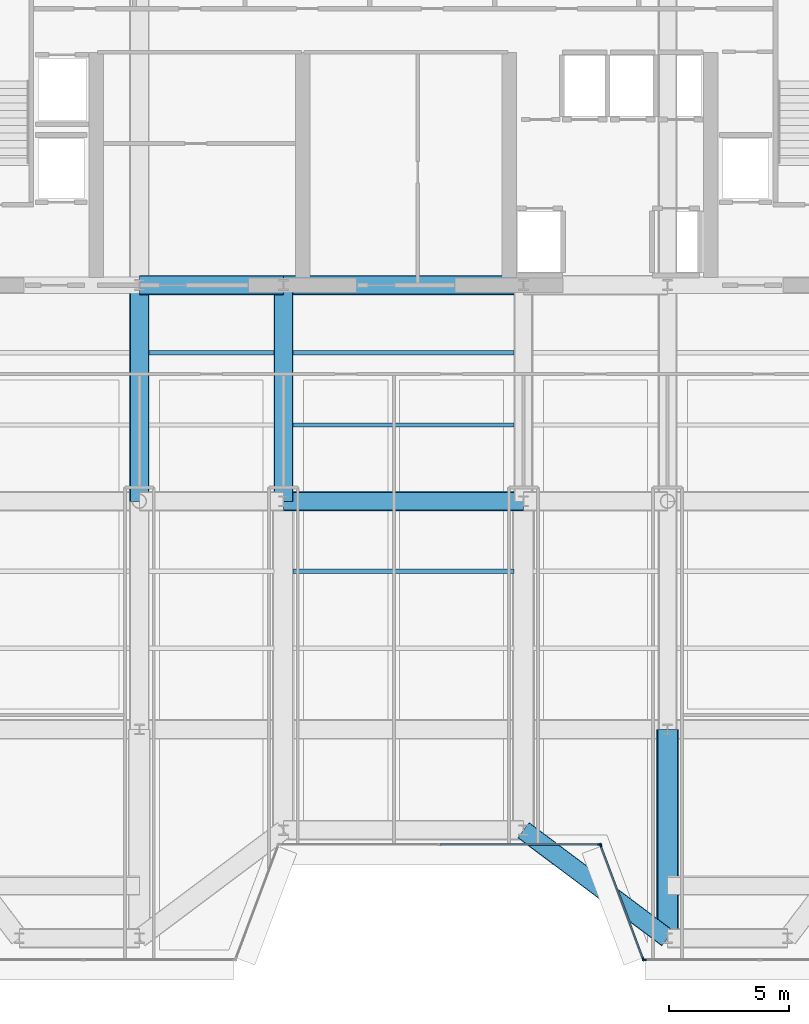
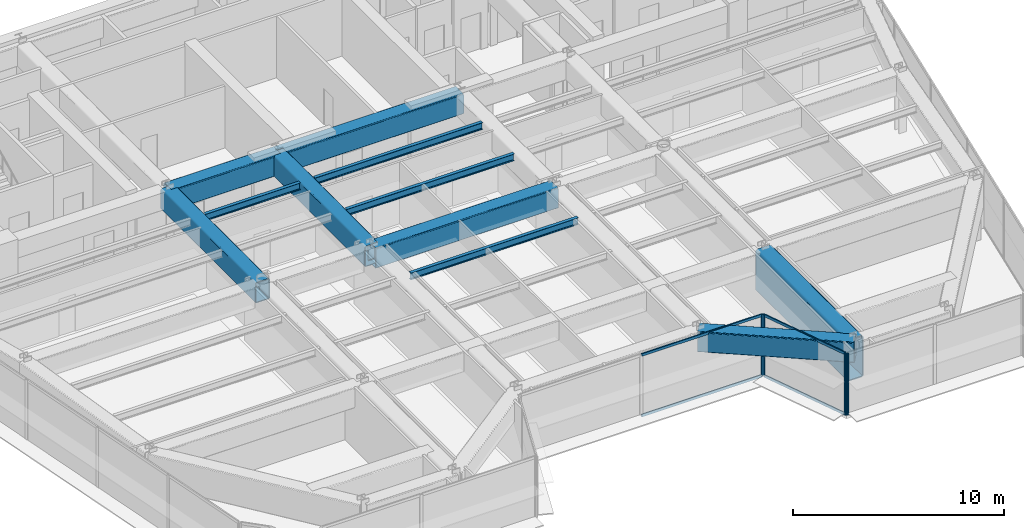
# One storey, part 5 of 17: 11 beams, 8 members, 3 elements without a shape of their own.
"""IFC4 building model written with IfcOpenShell, lengths in metres."""

from ifc_helpers import new_model, si_unit, direction, frame, origin, origin_2d, place, context, subcontext, project, spatial, rectangle, hollow_rectangle, i_section, extrude, source, transform, mapped, material, layer, layer_set, material_profile, profile_set, type_object, element, aggregate, save


model = new_model("IFC4")

# Units and contexts
model_context = context("Model", 3, precision=1e-05, world=origin(), true_north=direction((0.0, 1.0)))
body_context = subcontext(model_context, "Body", "Model", "MODEL_VIEW")
ifc_project = project(units=[si_unit("LENGTHUNIT", "METRE"), si_unit("AREAUNIT", "SQUARE_METRE"), si_unit("VOLUMEUNIT", "CUBIC_METRE"), si_unit("PLANEANGLEUNIT", "RADIAN"), si_unit("MASSUNIT", "GRAM", prefix="KILO")], contexts=[model_context])

# Site, building, storey
site_placement = place(None, origin())
site = spatial("IfcSite", under=ifc_project, at=site_placement, CompositionType="ELEMENT")
building_placement = place(site_placement, origin())
building = spatial("IfcBuilding", under=site, at=building_placement, Name="Vaeldorn Concourse Tower", CompositionType="ELEMENT")
storey_placement = place(building_placement, frame((0.0, 0.0, 234.60009765625)))
storey = spatial("IfcBuildingStorey", under=building, at=storey_placement, Name="L60", CompositionType="ELEMENT", Elevation=234.60009765625)

# Beams
ifc_material_1 = material(Name="Steel S460", Category="steel")
ifc_material_profile_1 = material_profile(ifc_material_1, hollow_rectangle(XDim=0.800048828125, YDim=1.199951171875, WallThickness=0.044921875, InnerFilletRadius=0.044921875, OuterFilletRadius=0.090087890625, at=origin_2d()), Name="RHS 1200x800x45")
ifc_profile_set_1 = profile_set([ifc_material_profile_1], Name="Steel S460")
beam_type_1 = type_object("IfcBeamType", Name="BM-TG-RHS1200", PredefinedType="BEAM", material=ifc_profile_set_1)
shared_shape_1 = source(origin(), body_context, "Body", "SweptSolid", [
    extrude(hollow_rectangle(XDim=0.800048828125, YDim=1.199951171875, WallThickness=0.044921875, InnerFilletRadius=0.044921875, OuterFilletRadius=0.090087890625, at=origin_2d()), origin(), (0.0, 0.0, 1.0), 6.0),
])
beam_1_placement = place(storey_placement, frame((23.0, 36.5, 2.97998046875), z_axis=(1.0, 0.0, 0.0), x_axis=(0.0, 1.0, 0.0)))
element("IfcBeam", 1, at=beam_1_placement, inside=storey, type_object=beam_type_1, Name="Beam BM-L60-C-FC2-C-FC3", PredefinedType="BEAM", context=body_context, shape_type="MappedRepresentation", body=[
    mapped(shared_shape_1, transform((0.0, 0.0, 0.0), scale=1.0)),
])
shared_shape_2 = source(origin(), body_context, "Body", "SweptSolid", [
    extrude(hollow_rectangle(XDim=0.800048828125, YDim=1.199951171875, WallThickness=0.044921875, InnerFilletRadius=0.044921875, OuterFilletRadius=0.090087890625, at=origin_2d()), origin(), (0.0, 0.0, 1.0), 10.0),
])
for number, where, z_axis, x_axis, name in (
    (2, (29.0, 36.5, 2.97998046875), (1.0, 0.0, 0.0), (0.0, 1.0, 0.0), "Beam BM-L60-C-FC3-C-FC4"),
    (3, (29.0, 27.5, 2.97998046875), (1.0, 0.0, 0.0), (0.0, 1.0, 0.0), "Beam BM-L60-C-TW2-C-TW3"),
):
    element("IfcBeam", number, at=place(storey_placement, frame(where, z_axis=z_axis, x_axis=x_axis)), inside=storey, type_object=beam_type_1, Name=name, PredefinedType="BEAM", context=body_context, shape_type="MappedRepresentation", body=[
        mapped(shared_shape_2, transform((0.0, 0.0, 0.0), scale=1.0)),
    ])
shared_shape_3 = source(origin(), body_context, "Body", "SweptSolid", [
    extrude(hollow_rectangle(XDim=0.800048828125, YDim=1.199951171875, WallThickness=0.044921875, InnerFilletRadius=0.044921875, OuterFilletRadius=0.090087890625, at=origin_2d()), origin(), (0.0, 0.0, 1.0), 9.0),
])
for number, where, z_axis, x_axis, name in (
    (4, (23.0, 27.5, 2.97998046875), (0.0, 1.0, 0.0), (-1.0, 0.0, 0.0), "Beam BM-L60-C-TW1-C-FC2"),
    (5, (29.0, 27.5, 2.97998046875), (0.0, 1.0, 0.0), (-1.0, 0.0, 0.0), "Beam BM-L60-C-TW2-C-FC3"),
):
    element("IfcBeam", number, at=place(storey_placement, frame(where, z_axis=z_axis, x_axis=x_axis)), inside=storey, type_object=beam_type_1, Name=name, PredefinedType="BEAM", context=body_context, shape_type="MappedRepresentation", body=[
        mapped(shared_shape_3, transform((0.0, 0.0, 0.0), scale=1.0)),
    ])
shared_shape_4 = source(origin(), body_context, "Body", "SweptSolid", [
    extrude(hollow_rectangle(XDim=0.800048828125, YDim=1.199951171875, WallThickness=0.044921875, InnerFilletRadius=0.044921875, OuterFilletRadius=0.090087890625, at=origin_2d()), origin(), (0.0, 0.0, 1.0), 7.5),
])
beam_2_placement = place(storey_placement, frame((39.0, 13.800048828125, 2.97998046875), z_axis=(0.8, -0.6, 0.0), x_axis=(0.6, 0.8, 0.0)))
element("IfcBeam", 6, at=beam_2_placement, inside=storey, type_object=beam_type_1, Name="Beam BM-L60-C-SF4-C-SF5", PredefinedType="BEAM", context=body_context, shape_type="MappedRepresentation", body=[
    mapped(shared_shape_4, transform((0.0, 0.0, 0.0), scale=1.0)),
])
ifc_material_2 = material(Name="Steel S355", Category="steel")
ifc_material_profile_2 = material_profile(ifc_material_2, i_section(OverallWidth=0.179931640625, OverallDepth=0.39990234375, WebThickness=0.008544921875, FlangeThickness=0.013427734375, FilletRadius=0.02099609375, at=origin_2d()), Name="IPE 400")
ifc_profile_set_2 = profile_set([ifc_material_profile_2], Name="Steel S355")
beam_type_2 = type_object("IfcBeamType", Name="BM-JS-IPE400", PredefinedType="JOIST", material=ifc_profile_set_2)
shared_shape_5 = source(origin(), body_context, "Body", "SweptSolid", [
    extrude(i_section(OverallWidth=0.179931640625, OverallDepth=0.39990234375, WebThickness=0.008544921875, FlangeThickness=0.013427734375, FilletRadius=0.02099609375, at=origin_2d()), origin(), (0.0, 0.0, 1.0), 5.2001953125),
])
beam_3_placement = place(storey_placement, frame((23.39990234375, 33.679931640625, 3.3798828125), z_axis=(1.0, 0.0, 0.0), x_axis=(0.0, 1.0, 0.0)))
element("IfcBeam", 7, at=beam_3_placement, inside=storey, type_object=beam_type_2, Name="Beam JS-L60-W2-336", PredefinedType="JOIST", context=body_context, shape_type="MappedRepresentation", body=[
    mapped(shared_shape_5, transform((0.0, 0.0, 0.0), scale=1.0)),
])
shared_shape_6 = source(origin(), body_context, "Body", "SweptSolid", [
    extrude(i_section(OverallWidth=0.179931640625, OverallDepth=0.39990234375, WebThickness=0.008544921875, FlangeThickness=0.013427734375, FilletRadius=0.02099609375, at=origin_2d()), origin(), (0.0, 0.0, 1.0), 9.2001953125),
])
for number, where, z_axis, x_axis, name in (
    (8, (29.39990234375, 24.580078125, 3.3798828125), (1.0, 0.0, 0.0), (0.0, 1.0, 0.0), "Beam JS-L60-C-245"),
    (9, (29.39990234375, 30.679931640625, 3.3798828125), (1.0, 0.0, 0.0), (0.0, 1.0, 0.0), "Beam JS-L60-C-306"),
    (10, (29.39990234375, 33.679931640625, 3.3798828125), (1.0, 0.0, 0.0), (0.0, 1.0, 0.0), "Beam JS-L60-C-336"),
):
    element("IfcBeam", number, at=place(storey_placement, frame(where, z_axis=z_axis, x_axis=x_axis)), inside=storey, type_object=beam_type_2, Name=name, PredefinedType="JOIST", context=body_context, shape_type="MappedRepresentation", body=[
        mapped(shared_shape_6, transform((0.0, 0.0, 0.0), scale=1.0)),
    ])
ifc_material_profile_3 = material_profile(ifc_material_1, hollow_rectangle(XDim=0.89990234375, YDim=2.39990234375, WallThickness=0.06005859375, InnerFilletRadius=0.06005859375, OuterFilletRadius=0.1201171875, at=origin_2d()), Name="RHS 2400x900x60")
ifc_profile_set_3 = profile_set([ifc_material_profile_3], Name="Steel S460")
beam_type_3 = type_object("IfcBeamType", Name="BM-TG-BOX2400", PredefinedType="BEAM", material=ifc_profile_set_3)
shared_shape_7 = source(origin(), body_context, "Body", "SweptSolid", [
    extrude(hollow_rectangle(XDim=0.89990234375, YDim=2.39990234375, WallThickness=0.06005859375, InnerFilletRadius=0.06005859375, OuterFilletRadius=0.1201171875, at=origin_2d()), origin(), (0.0, 0.0, 1.0), 8.699951171875),
])
beam_4_placement = place(storey_placement, frame((45.0, 9.300048828125, 2.3798828125), z_axis=(0.0, 1.0, 0.0), x_axis=(-1.0, 0.0, 0.0)))
element("IfcBeam", 11, at=beam_4_placement, inside=storey, type_object=beam_type_3, Name="Beam BM-SETBACK-L60-C-SF5", PredefinedType="BEAM", context=body_context, shape_type="MappedRepresentation", body=[
    mapped(shared_shape_7, transform((0.0, 0.0, 0.0), scale=1.0)),
])

# Curtain wall, member
ifc_material_3 = material(Name="Anodised Bronze Aluminium", Category="aluminium")
ifc_layer = layer(ifc_material_3, 0.179931640625)
ifc_layer_set = layer_set([ifc_layer], Name="Anodised Bronze Aluminium")
curtain_wall_type = type_object("IfcCurtainWallType", Name="CW-SYS-05", PredefinedType="NOTDEFINED", material=ifc_layer_set)
curtain_wall_1_placement = place(storey_placement, origin())
curtain_wall_1 = element("IfcCurtainWall", 12, at=curtain_wall_1_placement, inside=storey, type_object=curtain_wall_type, Name="Unitised Curtain Wall CW-L60-E03-1", PredefinedType="NOTDEFINED")
ifc_material_profile_4 = material_profile(ifc_material_3, rectangle(XDim=0.06494140625, YDim=0.169921875, at=origin_2d()), Name="CWM 65x170")
ifc_profile_set_4 = profile_set([ifc_material_profile_4], Name="Anodised Bronze Aluminium")
member_type_1 = type_object("IfcMemberType", Name="CWM-BRONZE-170", PredefinedType="MULLION", material=ifc_profile_set_4)
shared_shape_8 = source(origin(), body_context, "Body", "SweptSolid", [
    extrude(rectangle(XDim=0.06494140625, YDim=0.169921875, at=origin_2d()), origin(), (0.0, 0.0, 1.0), 3.579833984375),
])
member_1_placement = place(storey_placement, frame((42.16748046875, 13.199951171875, 0.0), z_axis=(0.0, 0.0, 1.0), x_axis=(0.0, 1.0, 0.0)))
member_1 = element("IfcMember", 13, at=member_1_placement, type_object=member_type_1, Name="CW-05 mullion 3", PredefinedType="MULLION", context=body_context, shape_type="MappedRepresentation", body=[
    mapped(shared_shape_8, transform((0.0, 0.0, 0.0), scale=1.0)),
])

# Curtain wall, members
curtain_wall_2_placement = place(storey_placement, origin())
curtain_wall_2 = element("IfcCurtainWall", 14, at=curtain_wall_2_placement, inside=storey, type_object=curtain_wall_type, Name="Unitised Curtain Wall CW-L60-E04-1", PredefinedType="NOTDEFINED")
member_2_placement = place(storey_placement, frame((42.21142578125, 13.169677734375, 0.0), z_axis=(0.0, 0.0, 1.0), x_axis=(0.936329177566, 0.351123441595, 0.0)))
member_2 = element("IfcMember", 15, at=member_2_placement, type_object=member_type_1, Name="CW-05 mullion 1", PredefinedType="MULLION", context=body_context, shape_type="MappedRepresentation", body=[
    mapped(shared_shape_8, transform((0.0, 0.0, 0.0), scale=1.0)),
])
member_3_placement = place(storey_placement, frame((43.988525390625, 8.430419921875, 0.0), z_axis=(0.0, 0.0, 1.0), x_axis=(0.936329177566, 0.351123441595, 0.0)))
member_3 = element("IfcMember", 16, at=member_3_placement, type_object=member_type_1, Name="CW-05 mullion 2", PredefinedType="MULLION", context=body_context, shape_type="MappedRepresentation", body=[
    mapped(shared_shape_8, transform((0.0, 0.0, 0.0), scale=1.0)),
])

# Curtain wall, member
curtain_wall_3_placement = place(storey_placement, origin())
curtain_wall_3 = element("IfcCurtainWall", 17, at=curtain_wall_3_placement, inside=storey, type_object=curtain_wall_type, Name="Unitised Curtain Wall CW-L60-E05-1", PredefinedType="NOTDEFINED")
member_4_placement = place(storey_placement, frame((44.032470703125, 8.39990234375, 0.0), z_axis=(0.0, 0.0, 1.0), x_axis=(0.0, 1.0, 0.0)))
member_4 = element("IfcMember", 18, at=member_4_placement, type_object=member_type_1, Name="CW-05 mullion 1", PredefinedType="MULLION", context=body_context, shape_type="MappedRepresentation", body=[
    mapped(shared_shape_8, transform((0.0, 0.0, 0.0), scale=1.0)),
])
aggregate(curtain_wall_3, [member_4])

# Member
ifc_material_profile_5 = material_profile(ifc_material_3, rectangle(XDim=0.06494140625, YDim=0.14990234375, at=origin_2d()), Name="CWT 65x150")
ifc_profile_set_5 = profile_set([ifc_material_profile_5], Name="Anodised Bronze Aluminium")
member_type_2 = type_object("IfcMemberType", Name="CWT-BRONZE-150", PredefinedType="USERDEFINED", material=ifc_profile_set_5)
shared_shape_9 = source(origin(), body_context, "Body", "SweptSolid", [
    extrude(rectangle(XDim=0.06494140625, YDim=0.14990234375, at=origin_2d()), origin(), (0.0, 0.0, 1.0), 4.996337890625),
])
member_5_placement = place(storey_placement, frame((42.222900390625, 13.13916015625, 0.032470703125), z_axis=(0.351134151405, -0.936325161318, 0.0), x_axis=(0.936325161318, 0.351134151405, 0.0)))
member_5 = element("IfcMember", 19, at=member_5_placement, type_object=member_type_2, Name="CW-05 transom 1.1", ObjectType="TRANSOM", PredefinedType="USERDEFINED", context=body_context, shape_type="MappedRepresentation", body=[
    mapped(shared_shape_9, transform((0.0, 0.0, 0.0), scale=1.0)),
])

member_6_placement = place(storey_placement, frame((42.222900390625, 13.13916015625, 3.54736328125), z_axis=(0.351134151405, -0.936325161318, 0.0), x_axis=(0.936325161318, 0.351134151405, 0.0)))
member_6 = element("IfcMember", 20, at=member_6_placement, type_object=member_type_2, Name="CW-05 transom 1.2", ObjectType="TRANSOM", PredefinedType="USERDEFINED", context=body_context, shape_type="MappedRepresentation", body=[
    mapped(shared_shape_9, transform((0.0, 0.0, 0.0), scale=1.0)),
])

aggregate(curtain_wall_2, [member_2, member_3, member_5, member_6])

shared_shape_10 = source(origin(), body_context, "Body", "SweptSolid", [
    extrude(rectangle(XDim=0.06494140625, YDim=0.14990234375, at=origin_2d()), origin(), (0.0, 0.0, 1.0), 6.6025390625),
])
member_7_placement = place(storey_placement, frame((35.532470703125, 13.199951171875, 0.032470703125), z_axis=(1.0, 0.0, 0.0), x_axis=(0.0, 1.0, 0.0)))
member_7 = element("IfcMember", 21, at=member_7_placement, type_object=member_type_2, Name="CW-05 transom 2.1", ObjectType="TRANSOM", PredefinedType="USERDEFINED", context=body_context, shape_type="MappedRepresentation", body=[
    mapped(shared_shape_10, transform((0.0, 0.0, 0.0), scale=1.0)),
])

member_8_placement = place(storey_placement, frame((35.532470703125, 13.199951171875, 3.54736328125), z_axis=(1.0, 0.0, 0.0), x_axis=(0.0, 1.0, 0.0)))
member_8 = element("IfcMember", 22, at=member_8_placement, type_object=member_type_2, Name="CW-05 transom 2.2", ObjectType="TRANSOM", PredefinedType="USERDEFINED", context=body_context, shape_type="MappedRepresentation", body=[
    mapped(shared_shape_10, transform((0.0, 0.0, 0.0), scale=1.0)),
])

aggregate(curtain_wall_1, [member_1, member_7, member_8])

save(model, "model.ifc")
